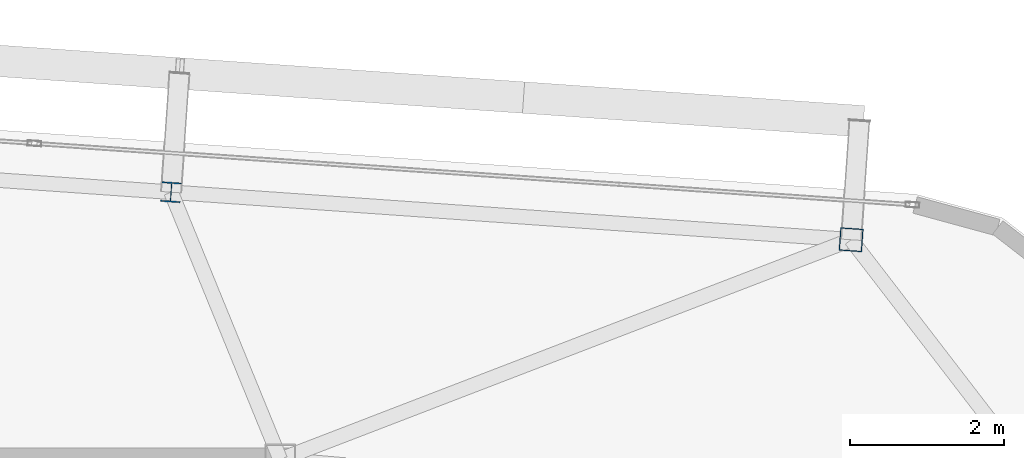
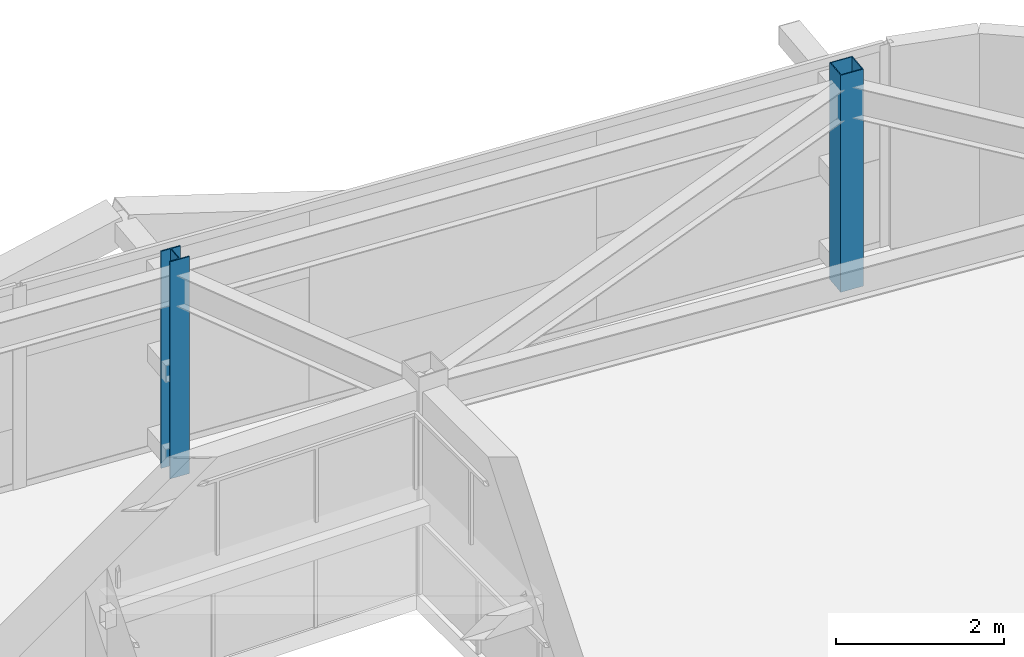
# One storey, part 5 of 39: 2 columns.
"""IFC4 building model written with IfcOpenShell, lengths in metres."""

from ifc_helpers import new_model, si_unit, direction, frame, origin, origin_2d, place, context, subcontext, project, spatial, hollow_rectangle, i_section, extrude, source, transform, mapped, material, material_profile, profile_set, type_object, element, save


model = new_model("IFC4")

# Units and contexts
model_context = context("Model", 3, precision=1e-05, world=origin(), true_north=direction((0.0, 1.0)))
body_context = subcontext(model_context, "Body", "Model", "MODEL_VIEW")
ifc_project = project(units=[si_unit("LENGTHUNIT", "METRE"), si_unit("AREAUNIT", "SQUARE_METRE"), si_unit("VOLUMEUNIT", "CUBIC_METRE"), si_unit("PLANEANGLEUNIT", "RADIAN"), si_unit("MASSUNIT", "GRAM", prefix="KILO")], contexts=[model_context])

# Site, building, storey
site_placement = place(None, origin())
site = spatial("IfcSite", under=ifc_project, at=site_placement, CompositionType="ELEMENT")
building_placement = place(site_placement, origin())
building = spatial("IfcBuilding", under=site, at=building_placement, Name="Taldren Reach Tower", CompositionType="ELEMENT")
storey_placement = place(building_placement, frame((0.0, 0.0, 129.85009765625)))
storey = spatial("IfcBuildingStorey", under=building, at=storey_placement, Name="L39", CompositionType="ELEMENT", Elevation=129.85009765625)

# Columns
ifc_material_1 = material(Name="Steel Gr 450 (C450L0)", Category="steel")
ifc_material_profile_1 = material_profile(ifc_material_1, hollow_rectangle(XDim=0.300048828125, YDim=0.300048828125, WallThickness=0.012451171875, at=origin_2d()), Name="300x300x12.5SHS")
ifc_profile_set_1 = profile_set([ifc_material_profile_1], Name="Steel Gr 450 (C450L0)")
column_type_1 = type_object("IfcColumnType", Name="COL-SHS300", PredefinedType="COLUMN", material=ifc_profile_set_1)
shared_shape_1 = source(origin(), body_context, "Body", "SweptSolid", [
    extrude(hollow_rectangle(XDim=0.300048828125, YDim=0.300048828125, WallThickness=0.012451171875, at=origin_2d()), origin(), (0.0, 0.0, 1.0), 3.14990234375),
])
column_1_placement = place(storey_placement, frame((58.4365234375, 34.861572265625, 0.0), z_axis=(0.0, 0.0, 1.0), x_axis=(0.99756405026, -0.069756473744, 0.0)))
element("IfcColumn", 1, at=column_1_placement, inside=storey, type_object=column_type_1, Name="Block B3 perimeter column N6 L39", PredefinedType="COLUMN", context=body_context, shape_type="MappedRepresentation", body=[
    mapped(shared_shape_1, transform((0.0, 0.0, 0.0), scale=1.0)),
])
ifc_material_2 = material(Name="Steel Gr 350 (350PLUS)", Category="steel")
ifc_material_profile_2 = material_profile(ifc_material_2, i_section(OverallWidth=0.256103515625, OverallDepth=0.260009765625, WebThickness=0.010498046875, FlangeThickness=0.017333984375, at=origin_2d()), Name="250UC89.5")
ifc_profile_set_2 = profile_set([ifc_material_profile_2], Name="Steel Gr 350 (350PLUS)")
column_type_2 = type_object("IfcColumnType", Name="COL-UC250", PredefinedType="COLUMN", material=ifc_profile_set_2)
shared_shape_2 = source(origin(), body_context, "Body", "SweptSolid", [
    extrude(i_section(OverallWidth=0.256103515625, OverallDepth=0.260009765625, WebThickness=0.010498046875, FlangeThickness=0.017333984375, at=origin_2d()), origin(), (0.0, 0.0, 1.0), 3.14990234375),
])
column_2_placement = place(storey_placement, frame((49.578125, 35.48095703125, 0.0), z_axis=(0.0, 0.0, 1.0), x_axis=(0.99756405026, -0.069756473744, 0.0)))
element("IfcColumn", 2, at=column_2_placement, inside=storey, type_object=column_type_2, Name="Block B3 perimeter column N5 L39", PredefinedType="COLUMN", context=body_context, shape_type="MappedRepresentation", body=[
    mapped(shared_shape_2, transform((0.0, 0.0, 0.0), scale=1.0)),
])

save(model, "model.ifc")
